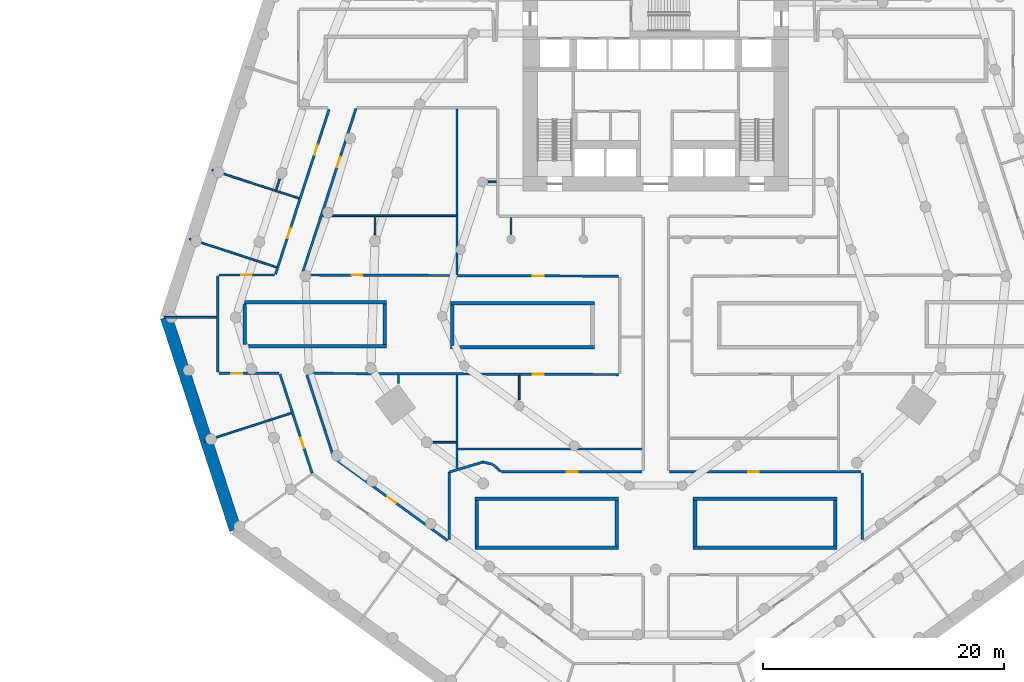
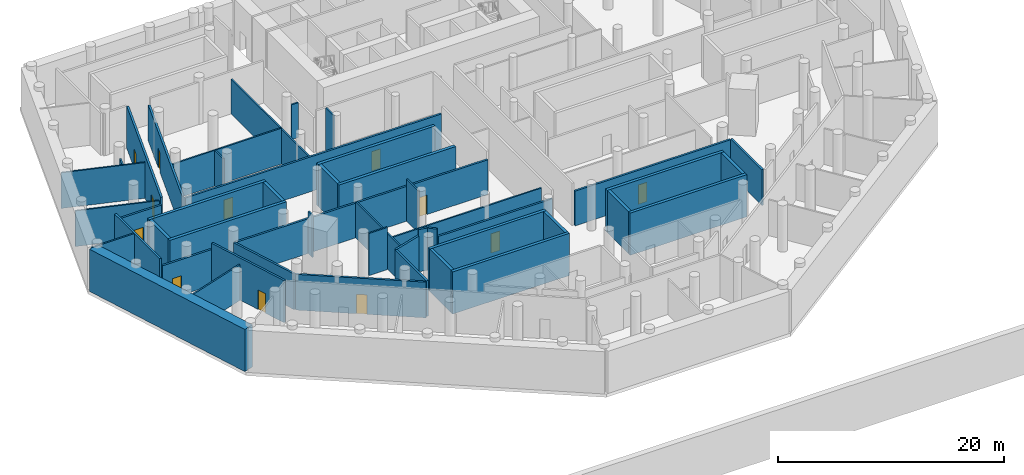
# One storey, part 6 of 10: 48 walls, 12 doors, 12 openings.
"""IFC4 building model written with IfcOpenShell, lengths in metres."""

from ifc_helpers import new_model, si_unit, direction, frame, frame_2d, origin, place, context, subcontext, project, spatial, rectangle, extrude, material, layer, layer_set, type_object, element, fill, save


model = new_model("IFC4")

# Units and contexts
model_context = context("Model", 3, precision=1e-05, world=origin(), true_north=direction((0.0, 1.0)))
body_context = subcontext(model_context, "Body", "Model", "MODEL_VIEW")
ifc_project = project(units=[si_unit("LENGTHUNIT", "METRE"), si_unit("AREAUNIT", "SQUARE_METRE"), si_unit("VOLUMEUNIT", "CUBIC_METRE"), si_unit("PLANEANGLEUNIT", "RADIAN"), si_unit("MASSUNIT", "GRAM", prefix="KILO")], contexts=[model_context])

# Site, building, storey
site_placement = place(None, origin())
site = spatial("IfcSite", under=ifc_project, at=site_placement, CompositionType="ELEMENT")
building_placement = place(site_placement, origin())
building = spatial("IfcBuilding", under=site, at=building_placement, Name="White Candle Pilgrim Tower", CompositionType="ELEMENT")
storey_placement = place(building_placement, frame((0.0, 0.0, -5.0)))
storey = spatial("IfcBuildingStorey", under=building, at=storey_placement, Name="B1", CompositionType="ELEMENT", Elevation=-5.0)

# Wall, opening, door
ifc_material_1 = material(Name="Gypsum board on steel studs", Category="steel")
ifc_layer_1 = layer(ifc_material_1, 0.199951171875)
ifc_layer_set_1 = layer_set([ifc_layer_1], Name="Corridor wall 200 mm EI 45")
wall_type_1 = type_object("IfcWallType", Name="Corridor wall 200 mm EI 45", PredefinedType="PARTITIONING", material=ifc_layer_set_1)
wall_1_placement = place(storey_placement, frame((41.526611328125, 47.62890625, 0.0), z_axis=(0.0, 0.0, 1.0), x_axis=(-0.309050865735, 0.951045510156, 0.0)))
wall_1 = element("IfcWall", 1, at=wall_1_placement, inside=storey, type_object=wall_type_1, Name="WL-B1-P001", PredefinedType="PARTITIONING", context=body_context, shape_type="SweptSolid", body=[
    extrude(rectangle(XDim=8.6240234375, YDim=0.199951171875, at=frame_2d((4.31201171875, 0.0))), origin(), (0.0, 0.0, 1.0), 4.550048828125),
])
opening_1_placement = place(wall_1_placement, frame((2.169189453125, 0.0, 0.0)))
opening_1 = element("IfcOpeningElement", 2, at=opening_1_placement, cuts=wall_1, Name="Opening B1-106", PredefinedType="OPENING", context=body_context, shape_type="SweptSolid", body=[
    extrude(rectangle(XDim=0.89990234375, YDim=2.10009765625, at=frame_2d((0.449951171875, 1.050048828125))), frame((0.0, 0.10986328125, 0.0), z_axis=(0.0, -1.0, 0.0), x_axis=(1.0, 0.0, 0.0)), (0.0, 0.0, 1.0), 0.219970703125),
])
ifc_material_2 = material(Name="Steel door leaf", Category="steel")
door_type = type_object("IfcDoorType", Name="Fire door 900 x 2100 EI 30", OperationType="NOTDEFINED", PredefinedType="DOOR", material=ifc_material_2)
door_1_placement = place(opening_1_placement, origin())
door_1 = element("IfcDoor", 3, at=door_1_placement, inside=storey, type_object=door_type, Name="Door B1-106", OperationType="SINGLE_SWING_RIGHT", OverallHeight=2.10009765625, OverallWidth=0.89990234375, PredefinedType="DOOR", context=body_context, shape_type="SweptSolid", body=[
    extrude(rectangle(XDim=0.89990234375, YDim=2.10009765625, at=frame_2d((0.449951171875, 1.050048828125))), frame((0.0, 0.02490234375, 0.0), z_axis=(0.0, -1.0, 0.0), x_axis=(1.0, 0.0, 0.0)), (0.0, 0.0, 1.0), 0.050048828125),
])
fill(opening_1, door_1)

wall_2_placement = place(storey_placement, frame((38.766357421875, 55.89990234375, 0.0), z_axis=(0.0, 0.0, 1.0), x_axis=(-1.0, 0.0, 0.0)))
wall_2 = element("IfcWall", 4, at=wall_2_placement, inside=storey, type_object=wall_type_1, Name="WL-B1-P002", PredefinedType="PARTITIONING", context=body_context, shape_type="SweptSolid", body=[
    extrude(rectangle(XDim=4.96630859375, YDim=0.199951171875, at=frame_2d((2.483154296875, 0.0))), origin(), (0.0, 0.0, 1.0), 3.85009765625),
])
opening_2_placement = place(wall_2_placement, frame((3.046875, 0.0, 0.0)))
opening_2 = element("IfcOpeningElement", 5, at=opening_2_placement, cuts=wall_2, Name="Opening B1-105", PredefinedType="OPENING", context=body_context, shape_type="SweptSolid", body=[
    extrude(rectangle(XDim=0.89990234375, YDim=2.10009765625, at=frame_2d((0.449951171875, 1.050048828125))), frame((0.0, 0.10986328125, 0.0), z_axis=(0.0, -1.0, 0.0), x_axis=(1.0, 0.0, 0.0)), (0.0, 0.0, 1.0), 0.219970703125),
])
door_2_placement = place(opening_2_placement, origin())
door_2 = element("IfcDoor", 6, at=door_2_placement, inside=storey, type_object=door_type, Name="Door B1-105", OperationType="SINGLE_SWING_LEFT", OverallHeight=2.10009765625, OverallWidth=0.89990234375, PredefinedType="DOOR", context=body_context, shape_type="SweptSolid", body=[
    extrude(rectangle(XDim=0.89990234375, YDim=2.10009765625, at=frame_2d((0.449951171875, 1.050048828125))), frame((0.0, 0.02490234375, 0.0), z_axis=(0.0, -1.0, 0.0), x_axis=(1.0, 0.0, 0.0)), (0.0, 0.0, 1.0), 0.050048828125),
])
fill(opening_2, door_2)

# Wall
wall_3_placement = place(storey_placement, frame((33.699951171875, 56.0, 0.0), z_axis=(0.0, 0.0, 1.0), x_axis=(0.0, 1.0, 0.0)))
element("IfcWall", 7, at=wall_3_placement, inside=storey, type_object=wall_type_1, Name="WL-B1-P003", PredefinedType="PARTITIONING", context=body_context, shape_type="SweptSolid", body=[
    extrude(rectangle(XDim=7.949951171875, YDim=0.199951171875, at=frame_2d((3.97509765625, 0.0))), origin(), (0.0, 0.0, 1.0), 4.550048828125),
])

# Wall, opening, door
wall_4_placement = place(storey_placement, frame((33.800048828125, 64.050048828125, 0.0), z_axis=(0.0, 0.0, 1.0), x_axis=(1.0, 0.0, 0.0)))
wall_4 = element("IfcWall", 8, at=wall_4_placement, inside=storey, type_object=wall_type_1, Name="WL-B1-P004", PredefinedType="PARTITIONING", context=body_context, shape_type="SweptSolid", body=[
    extrude(rectangle(XDim=4.599609375, YDim=0.199951171875, at=frame_2d((2.2998046875, 0.0))), origin(), (0.0, 0.0, 1.0), 3.85009765625),
])
opening_3_placement = place(wall_4_placement, frame((1.836181640625, 0.0, 0.0)))
opening_3 = element("IfcOpeningElement", 9, at=opening_3_placement, cuts=wall_4, Name="Opening B1-104", PredefinedType="OPENING", context=body_context, shape_type="SweptSolid", body=[
    extrude(rectangle(XDim=0.89990234375, YDim=2.10009765625, at=frame_2d((0.449951171875, 1.050048828125))), frame((0.0, 0.10986328125, 0.0), z_axis=(0.0, -1.0, 0.0), x_axis=(1.0, 0.0, 0.0)), (0.0, 0.0, 1.0), 0.219970703125),
])
door_3_placement = place(opening_3_placement, origin())
door_3 = element("IfcDoor", 10, at=door_3_placement, inside=storey, type_object=door_type, Name="Door B1-104", OperationType="SINGLE_SWING_RIGHT", OverallHeight=2.10009765625, OverallWidth=0.89990234375, PredefinedType="DOOR", context=body_context, shape_type="SweptSolid", body=[
    extrude(rectangle(XDim=0.89990234375, YDim=2.10009765625, at=frame_2d((0.449951171875, 1.050048828125))), frame((0.0, 0.02490234375, 0.0), z_axis=(0.0, -1.0, 0.0), x_axis=(1.0, 0.0, 0.0)), (0.0, 0.0, 1.0), 0.050048828125),
])
fill(opening_3, door_3)

# Wall, openings, doors
wall_5_placement = place(storey_placement, frame((38.494873046875, 64.119140625, 0.0), z_axis=(0.0, 0.0, 1.0), x_axis=(0.309012990643, 0.951057817177, 0.0)))
wall_5 = element("IfcWall", 11, at=wall_5_placement, inside=storey, type_object=wall_type_1, Name="WL-B1-P005", PredefinedType="PARTITIONING", context=body_context, shape_type="SweptSolid", body=[
    extrude(rectangle(XDim=14.352294921875, YDim=0.199951171875, at=frame_2d((7.17626953125, 0.0))), origin(), (0.0, 0.0, 1.0), 4.550048828125),
])
opening_4_placement = place(wall_5_placement, frame((10.3994140625, 0.0, 0.0)))
opening_4 = element("IfcOpeningElement", 12, at=opening_4_placement, cuts=wall_5, Name="Opening B1-102", PredefinedType="OPENING", context=body_context, shape_type="SweptSolid", body=[
    extrude(rectangle(XDim=0.89990234375, YDim=2.10009765625, at=frame_2d((0.449951171875, 1.050048828125))), frame((0.0, 0.10986328125, 0.0), z_axis=(0.0, -1.0, 0.0), x_axis=(1.0, 0.0, 0.0)), (0.0, 0.0, 1.0), 0.219970703125),
])
opening_5_placement = place(wall_5_placement, frame((3.12353515625, 0.0, 0.0)))
opening_5 = element("IfcOpeningElement", 13, at=opening_5_placement, cuts=wall_5, Name="Opening B1-103", PredefinedType="OPENING", context=body_context, shape_type="SweptSolid", body=[
    extrude(rectangle(XDim=0.89990234375, YDim=2.10009765625, at=frame_2d((0.449951171875, 1.050048828125))), frame((0.0, 0.10986328125, 0.0), z_axis=(0.0, -1.0, 0.0), x_axis=(1.0, 0.0, 0.0)), (0.0, 0.0, 1.0), 0.219970703125),
])
door_4_placement = place(opening_4_placement, origin())
door_4 = element("IfcDoor", 14, at=door_4_placement, inside=storey, type_object=door_type, Name="Door B1-102", OperationType="SINGLE_SWING_RIGHT", OverallHeight=2.10009765625, OverallWidth=0.89990234375, PredefinedType="DOOR", context=body_context, shape_type="SweptSolid", body=[
    extrude(rectangle(XDim=0.89990234375, YDim=2.10009765625, at=frame_2d((0.449951171875, 1.050048828125))), frame((0.0, 0.02490234375, 0.0), z_axis=(0.0, -1.0, 0.0), x_axis=(1.0, 0.0, 0.0)), (0.0, 0.0, 1.0), 0.050048828125),
])
fill(opening_4, door_4)
door_5_placement = place(opening_5_placement, origin())
door_5 = element("IfcDoor", 15, at=door_5_placement, inside=storey, type_object=door_type, Name="Door B1-103", OperationType="SINGLE_SWING_LEFT", OverallHeight=2.10009765625, OverallWidth=0.89990234375, PredefinedType="DOOR", context=body_context, shape_type="SweptSolid", body=[
    extrude(rectangle(XDim=0.89990234375, YDim=2.10009765625, at=frame_2d((0.449951171875, 1.050048828125))), frame((0.0, 0.02490234375, 0.0), z_axis=(0.0, -1.0, 0.0), x_axis=(1.0, 0.0, 0.0)), (0.0, 0.0, 1.0), 0.050048828125),
])
fill(opening_5, door_5)

# Wall, opening, door
wall_6_placement = place(storey_placement, frame((71.14990234375, 47.75, 0.0), z_axis=(0.0, 0.0, 1.0), x_axis=(1.0, 0.0, 0.0)))
wall_6 = element("IfcWall", 16, at=wall_6_placement, inside=storey, type_object=wall_type_1, Name="WL-B1-P033", PredefinedType="PARTITIONING", context=body_context, shape_type="SweptSolid", body=[
    extrude(rectangle(XDim=15.85009765625, YDim=0.199951171875, at=frame_2d((7.925048828125, 0.0))), origin(), (0.0, 0.0, 1.0), 3.75),
])
opening_6_placement = place(wall_6_placement, frame((6.49560546875, 0.0, 0.0)))
opening_6 = element("IfcOpeningElement", 17, at=opening_6_placement, cuts=wall_6, Name="Opening B1-127", PredefinedType="OPENING", context=body_context, shape_type="SweptSolid", body=[
    extrude(rectangle(XDim=0.89990234375, YDim=2.10009765625, at=frame_2d((0.449951171875, 1.050048828125))), frame((0.0, 0.10986328125, 0.0), z_axis=(0.0, -1.0, 0.0), x_axis=(1.0, 0.0, 0.0)), (0.0, 0.0, 1.0), 0.219970703125),
])
door_6_placement = place(opening_6_placement, origin())
door_6 = element("IfcDoor", 18, at=door_6_placement, inside=storey, type_object=door_type, Name="Door B1-127", OperationType="SINGLE_SWING_LEFT", OverallHeight=2.10009765625, OverallWidth=0.89990234375, PredefinedType="DOOR", context=body_context, shape_type="SweptSolid", body=[
    extrude(rectangle(XDim=0.89990234375, YDim=2.10009765625, at=frame_2d((0.449951171875, 1.050048828125))), frame((0.0, 0.02490234375, 0.0), z_axis=(0.0, -1.0, 0.0), x_axis=(1.0, 0.0, 0.0)), (0.0, 0.0, 1.0), 0.050048828125),
])
fill(opening_6, door_6)

# Wall
wall_7_placement = place(storey_placement, frame((87.10009765625, 47.64990234375, 0.0), z_axis=(0.0, 0.0, 1.0), x_axis=(0.0, -1.0, 0.0)))
element("IfcWall", 19, at=wall_7_placement, inside=storey, type_object=wall_type_1, Name="WL-B1-P034", PredefinedType="PARTITIONING", context=body_context, shape_type="SweptSolid", body=[
    extrude(rectangle(XDim=5.51611328125, YDim=0.199951171875, at=frame_2d((2.758056640625, 0.0))), origin(), (0.0, 0.0, 1.0), 3.85009765625),
])

# Wall, opening, door
wall_8_placement = place(storey_placement, frame((66.899658203125, 55.80029296875, 0.0), z_axis=(0.0, 0.0, 1.0), x_axis=(-0.999992570732, 0.003854670107, 0.0)))
wall_8 = element("IfcWall", 20, at=wall_8_placement, inside=storey, type_object=wall_type_1, Name="WL-B1-P041", PredefinedType="PARTITIONING", context=body_context, shape_type="SweptSolid", body=[
    extrude(rectangle(XDim=25.714599609375, YDim=0.199951171875, at=frame_2d((12.857421875, 0.0))), origin(), (0.0, 0.0, 1.0), 3.75),
])
opening_7_placement = place(wall_8_placement, frame((6.1826171875, 0.0, 0.0)))
opening_7 = element("IfcOpeningElement", 21, at=opening_7_placement, cuts=wall_8, Name="Opening B1-125", PredefinedType="OPENING", context=body_context, shape_type="SweptSolid", body=[
    extrude(rectangle(XDim=0.89990234375, YDim=2.10009765625, at=frame_2d((0.449951171875, 1.050048828125))), frame((0.0, 0.10986328125, 0.0), z_axis=(0.0, -1.0, 0.0), x_axis=(1.0, 0.0, 0.0)), (0.0, 0.0, 1.0), 0.219970703125),
])
door_7_placement = place(opening_7_placement, origin())
door_7 = element("IfcDoor", 22, at=door_7_placement, inside=storey, type_object=door_type, Name="Door B1-125", OperationType="SINGLE_SWING_LEFT", OverallHeight=2.10009765625, OverallWidth=0.89990234375, PredefinedType="DOOR", context=body_context, shape_type="SweptSolid", body=[
    extrude(rectangle(XDim=0.89990234375, YDim=2.10009765625, at=frame_2d((0.449951171875, 1.050048828125))), frame((0.0, 0.02490234375, 0.0), z_axis=(0.0, -1.0, 0.0), x_axis=(1.0, 0.0, 0.0)), (0.0, 0.0, 1.0), 0.050048828125),
])
fill(opening_7, door_7)

# Wall
wall_9_placement = place(storey_placement, frame((41.08984375, 55.7685546875, 0.0), z_axis=(0.0, 0.0, 1.0), x_axis=(0.309000124439, -0.951061997504, 0.0)))
element("IfcWall", 23, at=wall_9_placement, inside=storey, type_object=wall_type_1, Name="WL-B1-P042", PredefinedType="PARTITIONING", context=body_context, shape_type="SweptSolid", body=[
    extrude(rectangle(XDim=7.19384765625, YDim=0.199951171875, at=frame_2d((3.596923828125, 0.0))), origin(), (0.0, 0.0, 1.0), 3.85009765625),
])

# Wall, opening, door
wall_10_placement = place(storey_placement, frame((43.34912109375, 48.876708984375, 0.0), z_axis=(0.0, 0.0, 1.0), x_axis=(0.809017904923, -0.587783999028, 0.0)))
wall_10 = element("IfcWall", 24, at=wall_10_placement, inside=storey, type_object=wall_type_1, Name="WL-B1-P043", PredefinedType="PARTITIONING", context=body_context, shape_type="SweptSolid", body=[
    extrude(rectangle(XDim=11.609130859375, YDim=0.199951171875, at=frame_2d((5.8046875, 0.0))), origin(), (0.0, 0.0, 1.0), 3.85009765625),
])
opening_8_placement = place(wall_10_placement, frame((5.436279296875, 0.0, 0.0)))
opening_8 = element("IfcOpeningElement", 25, at=opening_8_placement, cuts=wall_10, Name="Opening B1-121", PredefinedType="OPENING", context=body_context, shape_type="SweptSolid", body=[
    extrude(rectangle(XDim=0.89990234375, YDim=2.10009765625, at=frame_2d((0.449951171875, 1.050048828125))), frame((0.0, 0.10986328125, 0.0), z_axis=(0.0, -1.0, 0.0), x_axis=(1.0, 0.0, 0.0)), (0.0, 0.0, 1.0), 0.219970703125),
])
door_8_placement = place(opening_8_placement, origin())
door_8 = element("IfcDoor", 26, at=door_8_placement, inside=storey, type_object=door_type, Name="Door B1-121", OperationType="SINGLE_SWING_LEFT", OverallHeight=2.10009765625, OverallWidth=0.89990234375, PredefinedType="DOOR", context=body_context, shape_type="SweptSolid", body=[
    extrude(rectangle(XDim=0.89990234375, YDim=2.10009765625, at=frame_2d((0.449951171875, 1.050048828125))), frame((0.0, 0.02490234375, 0.0), z_axis=(0.0, -1.0, 0.0), x_axis=(1.0, 0.0, 0.0)), (0.0, 0.0, 1.0), 0.050048828125),
])
fill(opening_8, door_8)

# Walls
wall_11_placement = place(storey_placement, frame((52.89990234375, 42.1337890625, 0.0), z_axis=(0.0, 0.0, 1.0), x_axis=(0.0, 1.0, 0.0)))
element("IfcWall", 27, at=wall_11_placement, inside=storey, type_object=wall_type_1, Name="WL-B1-P044", PredefinedType="PARTITIONING", context=body_context, shape_type="SweptSolid", body=[
    extrude(rectangle(XDim=5.58642578125, YDim=0.199951171875, at=frame_2d((2.793212890625, 0.0))), origin(), (0.0, 0.0, 1.0), 3.85009765625),
])
wall_12_placement = place(storey_placement, frame((52.885009765625, 47.715576171875, 0.0), z_axis=(0.0, 0.0, 1.0), x_axis=(0.958064878425, 0.286551371885, 0.0)))
element("IfcWall", 28, at=wall_12_placement, inside=storey, type_object=wall_type_1, Name="WL-B1-P045", PredefinedType="PARTITIONING", context=body_context, shape_type="SweptSolid", body=[
    extrude(rectangle(XDim=3.00927734375, YDim=0.199951171875, at=frame_2d((1.504638671875, 0.0))), origin(), (0.0, 0.0, 1.0), 3.85009765625),
])
wall_13_placement = place(storey_placement, frame((55.67578125, 48.55029296875, 0.0), z_axis=(0.0, 0.0, 1.0), x_axis=(0.973904551026, -0.226957981772, 0.0)))
element("IfcWall", 29, at=wall_13_placement, inside=storey, type_object=wall_type_1, Name="WL-B1-P046", PredefinedType="PARTITIONING", context=body_context, shape_type="SweptSolid", body=[
    extrude(rectangle(XDim=0.823974609375, YDim=0.199951171875, at=frame_2d((0.412109375, 0.0))), origin(), (0.0, 0.0, 1.0), 4.550048828125),
])
wall_14_placement = place(storey_placement, frame((56.522216796875, 48.34033203125, 0.0), z_axis=(0.0, 0.0, 1.0), x_axis=(0.744440847373, -0.667688418923, 0.0)))
element("IfcWall", 30, at=wall_14_placement, inside=storey, type_object=wall_type_1, Name="WL-B1-P047", PredefinedType="PARTITIONING", context=body_context, shape_type="SweptSolid", body=[
    extrude(rectangle(XDim=0.84619140625, YDim=0.199951171875, at=frame_2d((0.423095703125, 0.0))), origin(), (0.0, 0.0, 1.0), 4.550048828125),
])

# Wall, opening, door
wall_15_placement = place(storey_placement, frame((57.218994140625, 47.75, 0.0), z_axis=(0.0, 0.0, 1.0), x_axis=(1.0, 0.0, 0.0)))
wall_15 = element("IfcWall", 31, at=wall_15_placement, inside=storey, type_object=wall_type_1, Name="WL-B1-P048", PredefinedType="PARTITIONING", context=body_context, shape_type="SweptSolid", body=[
    extrude(rectangle(XDim=11.631103515625, YDim=0.199951171875, at=frame_2d((5.8154296875, 0.0))), origin(), (0.0, 0.0, 1.0), 3.75),
])
opening_9_placement = place(wall_15_placement, frame((5.396484375, 0.0, 0.0)))
opening_9 = element("IfcOpeningElement", 32, at=opening_9_placement, cuts=wall_15, Name="Opening B1-124", PredefinedType="OPENING", context=body_context, shape_type="SweptSolid", body=[
    extrude(rectangle(XDim=0.89990234375, YDim=2.10009765625, at=frame_2d((0.449951171875, 1.050048828125))), frame((0.0, 0.10986328125, 0.0), z_axis=(0.0, -1.0, 0.0), x_axis=(1.0, 0.0, 0.0)), (0.0, 0.0, 1.0), 0.219970703125),
])
door_9_placement = place(opening_9_placement, origin())
door_9 = element("IfcDoor", 33, at=door_9_placement, inside=storey, type_object=door_type, Name="Door B1-124", OperationType="SINGLE_SWING_RIGHT", OverallHeight=2.10009765625, OverallWidth=0.89990234375, PredefinedType="DOOR", context=body_context, shape_type="SweptSolid", body=[
    extrude(rectangle(XDim=0.89990234375, YDim=2.10009765625, at=frame_2d((0.449951171875, 1.050048828125))), frame((0.0, 0.02490234375, 0.0), z_axis=(0.0, -1.0, 0.0), x_axis=(1.0, 0.0, 0.0)), (0.0, 0.0, 1.0), 0.050048828125),
])
fill(opening_9, door_9)

wall_16_placement = place(storey_placement, frame((45.158203125, 77.830810546875, 0.0), z_axis=(0.0, 0.0, 1.0), x_axis=(-0.309018378218, -0.951056066656, 0.0)))
wall_16 = element("IfcWall", 34, at=wall_16_placement, inside=storey, type_object=wall_type_1, Name="WL-B1-P053", PredefinedType="PARTITIONING", context=body_context, shape_type="SweptSolid", body=[
    extrude(rectangle(XDim=14.352783203125, YDim=0.199951171875, at=frame_2d((7.17626953125, 0.0))), origin(), (0.0, 0.0, 1.0), 3.85009765625),
])
opening_10_placement = place(wall_16_placement, frame((4.177978515625, 0.0, 0.0)))
opening_10 = element("IfcOpeningElement", 35, at=opening_10_placement, cuts=wall_16, Name="Opening B1-123", PredefinedType="OPENING", context=body_context, shape_type="SweptSolid", body=[
    extrude(rectangle(XDim=0.89990234375, YDim=2.10009765625, at=frame_2d((0.449951171875, 1.050048828125))), frame((0.0, 0.10986328125, 0.0), z_axis=(0.0, -1.0, 0.0), x_axis=(1.0, 0.0, 0.0)), (0.0, 0.0, 1.0), 0.219970703125),
])
door_10_placement = place(opening_10_placement, origin())
door_10 = element("IfcDoor", 36, at=door_10_placement, inside=storey, type_object=door_type, Name="Door B1-123", OperationType="SINGLE_SWING_LEFT", OverallHeight=2.10009765625, OverallWidth=0.89990234375, PredefinedType="DOOR", context=body_context, shape_type="SweptSolid", body=[
    extrude(rectangle(XDim=0.89990234375, YDim=2.10009765625, at=frame_2d((0.449951171875, 1.050048828125))), frame((0.0, 0.02490234375, 0.0), z_axis=(0.0, -1.0, 0.0), x_axis=(1.0, 0.0, 0.0)), (0.0, 0.0, 1.0), 0.050048828125),
])
fill(opening_10, door_10)

# Wall, openings, doors
wall_17_placement = place(storey_placement, frame((40.8173828125, 64.049560546875, 0.0), z_axis=(0.0, 0.0, 1.0), x_axis=(0.999992779253, -0.003800189715, 0.0)))
wall_17 = element("IfcWall", 37, at=wall_17_placement, inside=storey, type_object=wall_type_1, Name="WL-B1-P054", PredefinedType="PARTITIONING", context=body_context, shape_type="SweptSolid", body=[
    extrude(rectangle(XDim=26.083251953125, YDim=0.199951171875, at=frame_2d((13.04150390625, 0.0))), origin(), (0.0, 0.0, 1.0), 3.75),
])
opening_11_placement = place(wall_17_placement, frame((3.97265625, 0.0, 0.0)))
opening_11 = element("IfcOpeningElement", 38, at=opening_11_placement, cuts=wall_17, Name="Opening B1-122", PredefinedType="OPENING", context=body_context, shape_type="SweptSolid", body=[
    extrude(rectangle(XDim=0.89990234375, YDim=2.10009765625, at=frame_2d((0.449951171875, 1.050048828125))), frame((0.0, 0.10986328125, 0.0), z_axis=(0.0, -1.0, 0.0), x_axis=(1.0, 0.0, 0.0)), (0.0, 0.0, 1.0), 0.219970703125),
])
opening_12_placement = place(wall_17_placement, frame((18.99951171875, 0.0, 0.0)))
opening_12 = element("IfcOpeningElement", 39, at=opening_12_placement, cuts=wall_17, Name="Opening B1-126", PredefinedType="OPENING", context=body_context, shape_type="SweptSolid", body=[
    extrude(rectangle(XDim=0.89990234375, YDim=2.10009765625, at=frame_2d((0.449951171875, 1.050048828125))), frame((0.0, 0.10986328125, 0.0), z_axis=(0.0, -1.0, 0.0), x_axis=(1.0, 0.0, 0.0)), (0.0, 0.0, 1.0), 0.219970703125),
])
door_11_placement = place(opening_11_placement, origin())
door_11 = element("IfcDoor", 40, at=door_11_placement, inside=storey, type_object=door_type, Name="Door B1-122", OperationType="SINGLE_SWING_RIGHT", OverallHeight=2.10009765625, OverallWidth=0.89990234375, PredefinedType="DOOR", context=body_context, shape_type="SweptSolid", body=[
    extrude(rectangle(XDim=0.89990234375, YDim=2.10009765625, at=frame_2d((0.449951171875, 1.050048828125))), frame((0.0, 0.02490234375, 0.0), z_axis=(0.0, -1.0, 0.0), x_axis=(1.0, 0.0, 0.0)), (0.0, 0.0, 1.0), 0.050048828125),
])
fill(opening_11, door_11)
door_12_placement = place(opening_12_placement, origin())
door_12 = element("IfcDoor", 41, at=door_12_placement, inside=storey, type_object=door_type, Name="Door B1-126", OperationType="SINGLE_SWING_RIGHT", OverallHeight=2.10009765625, OverallWidth=0.89990234375, PredefinedType="DOOR", context=body_context, shape_type="SweptSolid", body=[
    extrude(rectangle(XDim=0.89990234375, YDim=2.10009765625, at=frame_2d((0.449951171875, 1.050048828125))), frame((0.0, 0.02490234375, 0.0), z_axis=(0.0, -1.0, 0.0), x_axis=(1.0, 0.0, 0.0)), (0.0, 0.0, 1.0), 0.050048828125),
])
fill(opening_12, door_12)

# Walls
ifc_material_3 = material(Name="Concrete C40/50", Category="concrete")
ifc_layer_2 = layer(ifc_material_3, 1.0)
ifc_layer_set_2 = layer_set([ifc_layer_2], Name="Diaphragm wall 1000")
wall_type_2 = type_object("IfcWallType", Name="Diaphragm wall 1000", PredefinedType="SOLIDWALL", material=ifc_layer_set_2)
wall_18_placement = place(storey_placement, frame((35.156494140625, 42.962646484375, 0.0), z_axis=(0.0, 0.0, 1.0), x_axis=(-0.309001835939, 0.951061441436, 0.0)))
element("IfcWall", 42, at=wall_18_placement, inside=storey, type_object=wall_type_2, Name="Diaphragm wall B1-05", PredefinedType="SOLIDWALL", context=body_context, shape_type="SweptSolid", body=[
    extrude(rectangle(XDim=18.481201171875, YDim=1.0, at=frame_2d((9.24072265625, 0.0))), origin(), (0.0, 0.0, 1.0), 4.550048828125),
])
ifc_layer_3 = layer(ifc_material_1, 0.14990234375)
ifc_layer_set_3 = layer_set([ifc_layer_3], Name="Partition 150 mm EI 60")
wall_type_3 = type_object("IfcWallType", Name="Partition 150 mm EI 60", PredefinedType="PARTITIONING", material=ifc_layer_set_3)
wall_19_placement = place(storey_placement, frame((29.25634765625, 60.539306640625, 0.0), z_axis=(0.0, 0.0, 1.0), x_axis=(1.0, 0.0, 0.0)))
element("IfcWall", 43, at=wall_19_placement, inside=storey, type_object=wall_type_3, Name="WL-B1-P059", PredefinedType="PARTITIONING", context=body_context, shape_type="SweptSolid", body=[
    extrude(rectangle(XDim=4.34375, YDim=0.14990234375, at=frame_2d((2.171875, 0.0))), origin(), (0.0, 0.0, 1.0), 4.550048828125),
])
for number, where, z_axis, x_axis, name in (
    (44, (33.221923828125, 72.744140625, 0.0), (0.0, 0.0, 1.0), (0.951058681979, -0.309010329007, 0.0), "WL-B1-P066"),
    (45, (31.367919921875, 67.037841796875, 0.0), (0.0, 0.0, 1.0), (0.951049215908, -0.309039461753, 0.0), "WL-B1-P067"),
    (46, (32.593505859375, 50.268798828125, 0.0), (0.0, 0.0, 1.0), (0.951058681979, 0.309010329007, 0.0), "WL-B1-P068"),
):
    element("IfcWall", number, at=place(storey_placement, frame(where, z_axis=z_axis, x_axis=x_axis)), inside=storey, type_object=wall_type_3, Name=name, PredefinedType="PARTITIONING", context=body_context, shape_type="SweptSolid", body=[
        extrude(rectangle(XDim=7.580078125, YDim=0.14990234375, at=frame_2d((3.7900390625, 0.0))), origin(), (0.0, 0.0, 1.0), 3.85009765625),
    ])
wall_20_placement = place(storey_placement, frame((53.533935546875, 48.03662109375, 0.0), z_axis=(0.0, 0.0, 1.0), x_axis=(0.0, 1.0, 0.0)))
element("IfcWall", 47, at=wall_20_placement, inside=storey, type_object=wall_type_3, Name="WL-B1-P078", PredefinedType="PARTITIONING", context=body_context, shape_type="SweptSolid", body=[
    extrude(rectangle(XDim=7.715087890625, YDim=0.14990234375, at=frame_2d((3.857421875, 0.0))), origin(), (0.0, 0.0, 1.0), 3.85009765625),
])
wall_21_placement = place(storey_placement, frame((53.533935546875, 64.101318359375, 0.0), z_axis=(0.0, 0.0, 1.0), x_axis=(0.0, 1.0, 0.0)))
element("IfcWall", 48, at=wall_21_placement, inside=storey, type_object=wall_type_3, Name="WL-B1-P079", PredefinedType="PARTITIONING", context=body_context, shape_type="SweptSolid", body=[
    extrude(rectangle(XDim=13.69873046875, YDim=0.14990234375, at=frame_2d((6.849365234375, 0.0))), origin(), (0.0, 0.0, 1.0), 3.75),
])
wall_22_placement = place(storey_placement, frame((53.60888671875, 49.640380859375, 0.0), z_axis=(0.0, 0.0, 1.0), x_axis=(1.0, 0.0, 0.0)))
element("IfcWall", 49, at=wall_22_placement, inside=storey, type_object=wall_type_3, Name="WL-B1-P080", PredefinedType="PARTITIONING", context=body_context, shape_type="SweptSolid", body=[
    extrude(rectangle(XDim=15.2412109375, YDim=0.14990234375, at=frame_2d((7.62060546875, 0.0))), origin(), (0.0, 0.0, 1.0), 3.75),
])
wall_23_placement = place(storey_placement, frame((42.40478515625, 68.95849609375, 0.0), z_axis=(0.0, 0.0, 1.0), x_axis=(1.0, 0.0, 0.0)))
element("IfcWall", 50, at=wall_23_placement, inside=storey, type_object=wall_type_3, Name="WL-B1-P082", PredefinedType="PARTITIONING", context=body_context, shape_type="SweptSolid", body=[
    extrude(rectangle(XDim=11.05419921875, YDim=0.14990234375, at=frame_2d((5.527099609375, 0.0))), origin(), (0.0, 0.0, 1.0), 3.85009765625),
])
wall_24_placement = place(storey_placement, frame((48.682861328125, 55.066162109375, 0.0), z_axis=(0.0, 0.0, 1.0), x_axis=(0.003812797242, 0.999992731262, 0.0)))
element("IfcWall", 51, at=wall_24_placement, inside=storey, type_object=wall_type_3, Name="WL-B1-P090", PredefinedType="PARTITIONING", context=body_context, shape_type="SweptSolid", body=[
    extrude(rectangle(XDim=0.704345703125, YDim=0.14990234375, at=frame_2d((0.35205078125, 0.0))), origin(), (0.0, 0.0, 1.0), 4.550048828125),
])
wall_25_placement = place(storey_placement, frame((51.56005859375, 50.1923828125, 0.0), z_axis=(0.0, 0.0, 1.0), x_axis=(1.0, 0.0, 0.0)))
element("IfcWall", 52, at=wall_25_placement, inside=storey, type_object=wall_type_3, Name="WL-B1-P091", PredefinedType="PARTITIONING", context=body_context, shape_type="SweptSolid", body=[
    extrude(rectangle(XDim=1.89892578125, YDim=0.14990234375, at=frame_2d((0.949462890625, 0.0))), origin(), (0.0, 0.0, 1.0), 4.550048828125),
])
wall_26_placement = place(storey_placement, frame((46.73779296875, 67.39990234375, 0.0), z_axis=(0.0, 0.0, 1.0), x_axis=(0.0, 1.0, 0.0)))
element("IfcWall", 53, at=wall_26_placement, inside=storey, type_object=wall_type_3, Name="WL-B1-P093", PredefinedType="PARTITIONING", context=body_context, shape_type="SweptSolid", body=[
    extrude(rectangle(XDim=1.483642578125, YDim=0.14990234375, at=frame_2d((0.74169921875, 0.0))), origin(), (0.0, 0.0, 1.0), 3.85009765625),
])
wall_27_placement = place(storey_placement, frame((58.682373046875, 53.699951171875, 0.0), z_axis=(0.0, 0.0, 1.0), x_axis=(0.003844739095, 0.999992608963, 0.0)))
element("IfcWall", 54, at=wall_27_placement, inside=storey, type_object=wall_type_3, Name="WL-B1-P094", PredefinedType="PARTITIONING", context=body_context, shape_type="SweptSolid", body=[
    extrude(rectangle(XDim=2.031982421875, YDim=0.14990234375, at=frame_2d((1.01611328125, 0.0))), origin(), (0.0, 0.0, 1.0), 4.550048828125),
])
wall_28_placement = place(storey_placement, frame((56.1298828125, 71.76220703125, 0.0), z_axis=(0.0, 0.0, 1.0), x_axis=(1.0, 0.0, 0.0)))
element("IfcWall", 55, at=wall_28_placement, inside=storey, type_object=wall_type_3, Name="WL-B1-P096", PredefinedType="PARTITIONING", context=body_context, shape_type="SweptSolid", body=[
    extrude(rectangle(XDim=0.670166015625, YDim=0.14990234375, at=frame_2d((0.3349609375, 0.0))), origin(), (0.0, 0.0, 1.0), 3.75),
])
wall_29_placement = place(storey_placement, frame((57.997802734375, 67.43994140625, 0.0), z_axis=(0.0, 0.0, 1.0), x_axis=(0.0, 1.0, 0.0)))
element("IfcWall", 56, at=wall_29_placement, inside=storey, type_object=wall_type_3, Name="WL-B1-P097", PredefinedType="PARTITIONING", context=body_context, shape_type="SweptSolid", body=[
    extrude(rectangle(XDim=1.360107421875, YDim=0.14990234375, at=frame_2d((0.68017578125, 0.0))), origin(), (0.0, 0.0, 1.0), 4.550048828125),
])
wall_30_placement = place(storey_placement, frame((38.8369140625, 71.98095703125, 0.0), z_axis=(0.0, 0.0, 1.0), x_axis=(-0.309086072338, -0.951034068731, 0.0)))
element("IfcWall", 57, at=wall_30_placement, inside=storey, type_object=wall_type_3, Name="WL-B1-P104", PredefinedType="PARTITIONING", context=body_context, shape_type="SweptSolid", body=[
    extrude(rectangle(XDim=0.934326171875, YDim=0.14990234375, at=frame_2d((0.46728515625, 0.0))), origin(), (0.0, 0.0, 1.0), 3.85009765625),
])
ifc_material_4 = material(Name="Concrete C60/75", Category="concrete")
ifc_layer_4 = layer(ifc_material_4, 0.300048828125)
ifc_layer_set_4 = layer_set([ifc_layer_4], Name="Shaft wall 300 mm Concrete C60/75")
wall_type_4 = type_object("IfcWallType", Name="Shaft wall 300 mm Concrete C60/75", PredefinedType="SHEAR", material=ifc_layer_set_4)
for number, where, z_axis, x_axis, name in (
    (58, (53.0, 58.050048828125, 0.0), (0.0, 0.0, 1.0), (1.0, 0.0, 0.0), "WL-B1-PB5S"),
    (59, (53.0, 61.699951171875, 0.0), (0.0, 0.0, 1.0), (1.0, 0.0, 0.0), "WL-B1-PB5N"),
):
    element("IfcWall", number, at=place(storey_placement, frame(where, z_axis=z_axis, x_axis=x_axis)), inside=storey, type_object=wall_type_4, Name=name, PredefinedType="SHEAR", context=body_context, shape_type="SweptSolid", body=[
        extrude(rectangle(XDim=11.89990234375, YDim=0.300048828125, at=frame_2d((5.949951171875, 0.0))), origin(), (0.0, 0.0, 1.0), 4.550048828125),
    ])
wall_31_placement = place(storey_placement, frame((53.14990234375, 58.199951171875, 0.0), z_axis=(0.0, 0.0, 1.0), x_axis=(0.0, 1.0, 0.0)))
element("IfcWall", 60, at=wall_31_placement, inside=storey, type_object=wall_type_4, Name="WL-B1-PB5W", PredefinedType="SHEAR", context=body_context, shape_type="SweptSolid", body=[
    extrude(rectangle(XDim=3.35009765625, YDim=0.300048828125, at=frame_2d((1.675048828125, 0.0))), origin(), (0.0, 0.0, 1.0), 4.550048828125),
])
for number, where, z_axis, x_axis, name in (
    (61, (55.0, 41.449951171875, 0.0), (0.0, 0.0, 1.0), (1.0, 0.0, 0.0), "WL-B1-PB6S"),
    (62, (55.0, 45.5, 0.0), (0.0, 0.0, 1.0), (1.0, 0.0, 0.0), "WL-B1-PB6N"),
):
    element("IfcWall", number, at=place(storey_placement, frame(where, z_axis=z_axis, x_axis=x_axis)), inside=storey, type_object=wall_type_4, Name=name, PredefinedType="SHEAR", context=body_context, shape_type="SweptSolid", body=[
        extrude(rectangle(XDim=11.89990234375, YDim=0.300048828125, at=frame_2d((5.949951171875, 0.0))), origin(), (0.0, 0.0, 1.0), 4.550048828125),
    ])
for number, where, z_axis, x_axis, name in (
    (63, (55.14990234375, 41.60009765625, 0.0), (0.0, 0.0, 1.0), (0.0, 1.0, 0.0), "WL-B1-PB6W"),
    (64, (66.75, 41.60009765625, 0.0), (0.0, 0.0, 1.0), (0.0, 1.0, 0.0), "WL-B1-PB6E"),
):
    element("IfcWall", number, at=place(storey_placement, frame(where, z_axis=z_axis, x_axis=x_axis)), inside=storey, type_object=wall_type_4, Name=name, PredefinedType="SHEAR", context=body_context, shape_type="SweptSolid", body=[
        extrude(rectangle(XDim=3.75, YDim=0.300048828125, at=frame_2d((1.875, 0.0))), origin(), (0.0, 0.0, 1.0), 4.550048828125),
    ])
for number, where, z_axis, x_axis, name in (
    (65, (73.10009765625, 41.449951171875, 0.0), (0.0, 0.0, 1.0), (1.0, 0.0, 0.0), "WL-B1-PB7S"),
    (66, (73.10009765625, 45.5, 0.0), (0.0, 0.0, 1.0), (1.0, 0.0, 0.0), "WL-B1-PB7N"),
):
    element("IfcWall", number, at=place(storey_placement, frame(where, z_axis=z_axis, x_axis=x_axis)), inside=storey, type_object=wall_type_4, Name=name, PredefinedType="SHEAR", context=body_context, shape_type="SweptSolid", body=[
        extrude(rectangle(XDim=11.89990234375, YDim=0.300048828125, at=frame_2d((5.949951171875, 0.0))), origin(), (0.0, 0.0, 1.0), 4.550048828125),
    ])
for number, where, z_axis, x_axis, name in (
    (67, (73.25, 41.60009765625, 0.0), (0.0, 0.0, 1.0), (0.0, 1.0, 0.0), "WL-B1-PB7W"),
    (68, (84.85009765625, 41.60009765625, 0.0), (0.0, 0.0, 1.0), (0.0, 1.0, 0.0), "WL-B1-PB7E"),
):
    element("IfcWall", number, at=place(storey_placement, frame(where, z_axis=z_axis, x_axis=x_axis)), inside=storey, type_object=wall_type_4, Name=name, PredefinedType="SHEAR", context=body_context, shape_type="SweptSolid", body=[
        extrude(rectangle(XDim=3.75, YDim=0.300048828125, at=frame_2d((1.875, 0.0))), origin(), (0.0, 0.0, 1.0), 4.550048828125),
    ])
for number, where, z_axis, x_axis, name in (
    (69, (35.800048828125, 58.14990234375, 0.0), (0.0, 0.0, 1.0), (1.0, 0.0, 0.0), "WL-B1-PB8S"),
    (70, (35.800048828125, 61.800048828125, 0.0), (0.0, 0.0, 1.0), (1.0, 0.0, 0.0), "WL-B1-PB8N"),
):
    element("IfcWall", number, at=place(storey_placement, frame(where, z_axis=z_axis, x_axis=x_axis)), inside=storey, type_object=wall_type_4, Name=name, PredefinedType="SHEAR", context=body_context, shape_type="SweptSolid", body=[
        extrude(rectangle(XDim=11.89990234375, YDim=0.300048828125, at=frame_2d((5.949951171875, 0.0))), origin(), (0.0, 0.0, 1.0), 4.550048828125),
    ])
for number, where, z_axis, x_axis, name in (
    (71, (35.949951171875, 58.300048828125, 0.0), (0.0, 0.0, 1.0), (0.0, 1.0, 0.0), "WL-B1-PB8W"),
    (72, (47.550048828125, 58.300048828125, 0.0), (0.0, 0.0, 1.0), (0.0, 1.0, 0.0), "WL-B1-PB8E"),
):
    element("IfcWall", number, at=place(storey_placement, frame(where, z_axis=z_axis, x_axis=x_axis)), inside=storey, type_object=wall_type_4, Name=name, PredefinedType="SHEAR", context=body_context, shape_type="SweptSolid", body=[
        extrude(rectangle(XDim=3.349853515625, YDim=0.300048828125, at=frame_2d((1.6748046875, 0.0))), origin(), (0.0, 0.0, 1.0), 4.550048828125),
    ])

save(model, "model.ifc")
